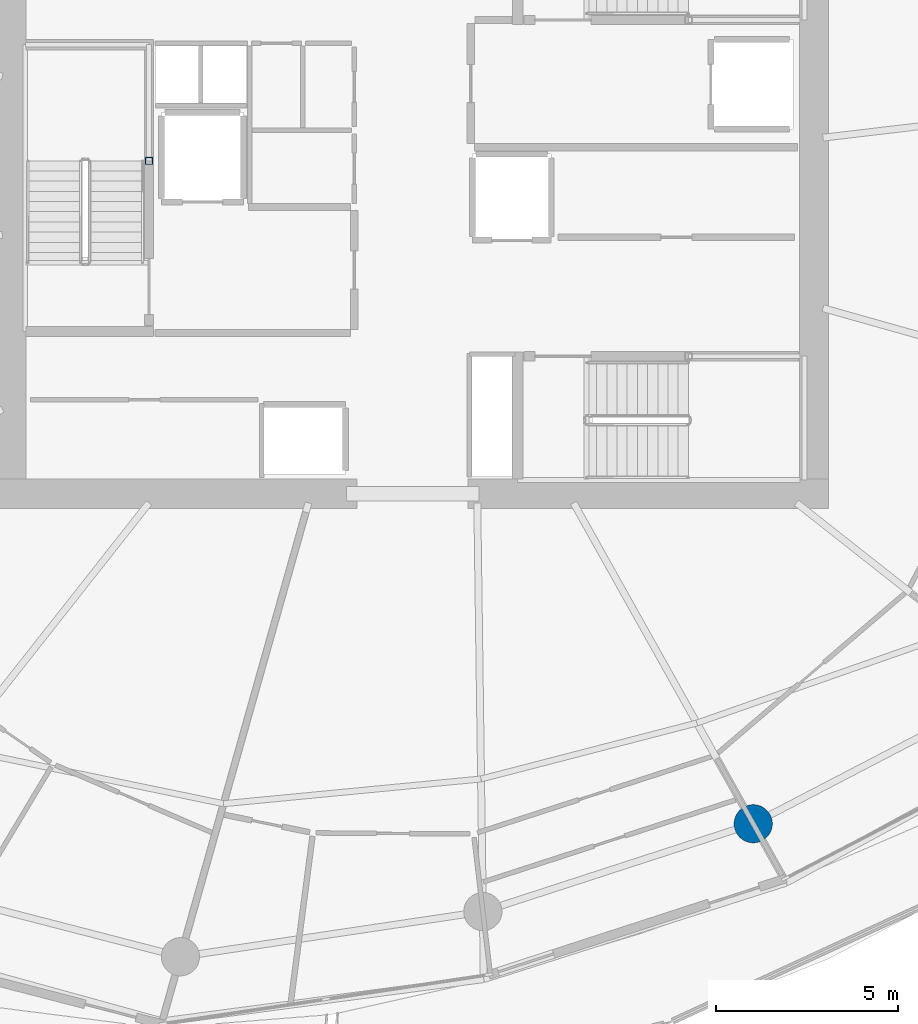
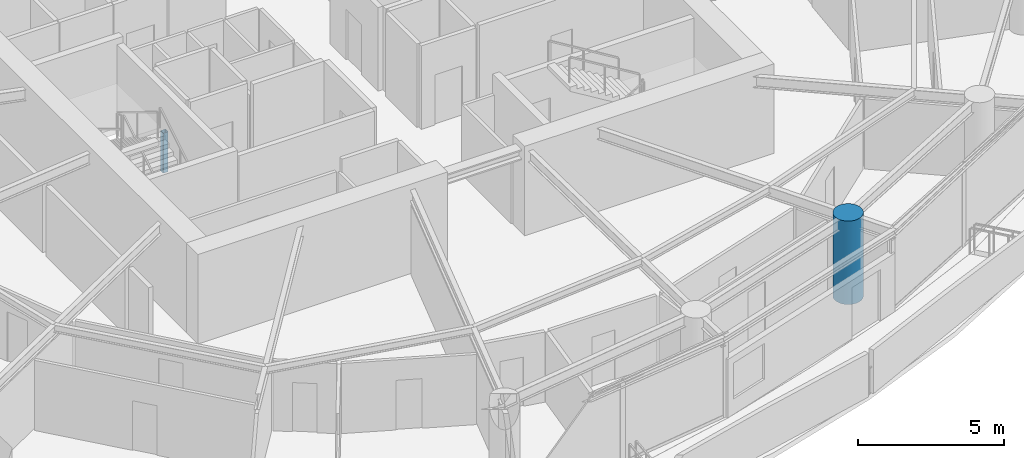
# One storey, part 2 of 20: 2 columns.
"""IFC4 building model written with IfcOpenShell, lengths in metres."""

import ifcopenshell
import ifcopenshell.guid

model = None  # the IFC model being written
_history = None  # IfcOwnerHistory: only IFC2X3 demands one
_inside = {}  # id of a spatial element -> (the spatial element, [elements in it])
_under = {}  # id of a project, library or spatial element -> (it, [spatial elements below it])
_declared = {}  # id of a project -> (the project, [libraries it declares])
_typed = {}  # id of a type object -> (the type object, [elements of that type])
_made_of = {}  # id of a material, layer set ... -> (it, [elements and type objects made of it])


def new_model(schema):
    """Start an empty IFC model of exactly this schema.

    Asked for "IFC4X3", IfcOpenShell would pick the latest addendum, in which some entities
    have other attributes; the version numbers below select the first issue.
    IFC2X3 requires an IfcOwnerHistory on every rooted entity: one is made here for all.
    """
    global model, _history
    if schema == "IFC4X3":
        model = ifcopenshell.file(schema_version=(4, 3, 0, 0))
    else:
        model = ifcopenshell.file(schema=schema)
    _inside.clear()
    _under.clear()
    _declared.clear()
    _typed.clear()
    _made_of.clear()
    _history = None
    if model.schema == "IFC2X3":
        org = make("IfcOrganization", Name="unknown")
        user = make(
            "IfcPersonAndOrganization",
            ThePerson=make("IfcPerson", FamilyName="unknown"),
            TheOrganization=org,
        )
        app = make(
            "IfcApplication",
            ApplicationDeveloper=org,
            Version="unknown",
            ApplicationFullName="unknown",
            ApplicationIdentifier="unknown",
        )
        _history = make(
            "IfcOwnerHistory",
            OwningUser=user,
            OwningApplication=app,
            ChangeAction="ADDED",
            CreationDate=0,
        )
    return model


def make(cls, **values):
    """One entity of the class cls with the attributes given. An attribute that is None is left unset."""
    return model.create_entity(
        cls, **{name: value for name, value in values.items() if value is not None}
    )


def rooted(cls, **values):
    """An entity with a GlobalId (a new one), such as an element, a storey or a relation."""
    return make(cls, GlobalId=ifcopenshell.guid.new(), OwnerHistory=_history, **values)


def si_unit(unit_type, name, prefix=None):
    """IfcSIUnit, for example si_unit("LENGTHUNIT", "METRE", prefix="MILLI")."""
    return make("IfcSIUnit", UnitType=unit_type, Prefix=prefix, Name=name)


def assignment(units):
    """IfcUnitAssignment: the units of a project."""
    return None if units is None else make("IfcUnitAssignment", Units=units)


def point(xyz):
    """IfcCartesianPoint."""
    return None if xyz is None else make("IfcCartesianPoint", Coordinates=xyz)


def direction(xyz):
    """IfcDirection."""
    return None if xyz is None else make("IfcDirection", DirectionRatios=xyz)


def frame(location, z_axis=None, x_axis=None):
    """IfcAxis2Placement3D, a coordinate frame: its origin and axes. An axis left out is left unset."""
    return make(
        "IfcAxis2Placement3D",
        Location=point(location),
        Axis=direction(z_axis),
        RefDirection=direction(x_axis),
    )


def frame_2d(location, x_axis=None):
    """IfcAxis2Placement2D, a coordinate frame in the plane: its origin and x axis."""
    return make(
        "IfcAxis2Placement2D", Location=point(location), RefDirection=direction(x_axis)
    )


def origin():
    """The frame at (0, 0, 0) with its axes left unset."""
    return frame((0.0, 0.0, 0.0))


def origin_2d():
    """The frame at (0, 0) in the plane with its x axis left unset."""
    return frame_2d((0.0, 0.0))


def place(relative_to, where):
    """IfcLocalPlacement: puts the frame where relative to a parent placement (None: the world)."""
    return make(
        "IfcLocalPlacement", PlacementRelTo=relative_to, RelativePlacement=where
    )


def context(
    kind, dimensions, precision=None, world=None, true_north=None, identifier=None
):
    """IfcGeometricRepresentationContext, for example the 3D "Model" context."""
    return make(
        "IfcGeometricRepresentationContext",
        ContextIdentifier=identifier,
        ContextType=kind,
        CoordinateSpaceDimension=dimensions,
        Precision=precision,
        WorldCoordinateSystem=world,
        TrueNorth=true_north,
    )


def subcontext(parent, identifier, kind, view, scale=None):
    """IfcGeometricRepresentationSubContext, for example "Body" below "Model"."""
    return make(
        "IfcGeometricRepresentationSubContext",
        ContextIdentifier=identifier,
        ContextType=kind,
        ParentContext=parent,
        TargetScale=scale,
        TargetView=view,
    )


def project(units=None, contexts=None):
    """IfcProject with its units and contexts."""
    return rooted(
        "IfcProject",
        Name="project",
        RepresentationContexts=contexts,
        UnitsInContext=assignment(units),
    )


def spatial(cls, under=None, at=None, **own):
    """A site, building, storey or space (cls), placed at a placement, below another one or the project."""
    s = rooted(cls, ObjectPlacement=at, **own)
    if under is not None:
        _under.setdefault(under.id(), (under, []))[1].append(s)
    return s


def profile(cls, at=None, kind="AREA", **sizes):
    """A parametric profile (cls). Its sizes go by their IFC names, for example OverallWidth=200.0."""
    return make(cls, ProfileType=kind, Position=at, **sizes)


def hollow_rectangle(**sizes):
    """IfcRectangleHollowProfileDef."""
    return profile("IfcRectangleHollowProfileDef", **sizes)


def circle(**sizes):
    """IfcCircleProfileDef."""
    return profile("IfcCircleProfileDef", **sizes)


def extrude(swept, where, along, depth):
    """IfcExtrudedAreaSolid: the profile swept, set in the frame where, extruded along a direction by depth."""
    return make(
        "IfcExtrudedAreaSolid",
        SweptArea=swept,
        Position=where,
        ExtrudedDirection=direction(along),
        Depth=depth,
    )


def shape(context_of_items, identifier, shape_type, items):
    """IfcShapeRepresentation: the items that make up one representation, for example the "Body"."""
    return make(
        "IfcShapeRepresentation",
        ContextOfItems=context_of_items,
        RepresentationIdentifier=identifier,
        RepresentationType=shape_type,
        Items=items,
    )


def material(Name=None, Category=None):
    """IfcMaterial."""
    return make("IfcMaterial", Name=Name, Category=Category)


def material_profile(
    of_material, cross_section, Name=None, Category=None, Priority=None
):
    """IfcMaterialProfile: a cross section and its material."""
    return make(
        "IfcMaterialProfile",
        Name=Name,
        Material=of_material,
        Profile=cross_section,
        Priority=Priority,
        Category=Category,
    )


def profile_set(profiles, Name=None, composite=None):
    """IfcMaterialProfileSet."""
    return make(
        "IfcMaterialProfileSet",
        Name=Name,
        MaterialProfiles=profiles,
        CompositeProfile=composite,
    )


def made_of(thing, what):
    """Note that an element or type object is made of a material, layer set ...; save() writes the relation."""
    if what is not None:
        _made_of.setdefault(what.id(), (what, []))[1].append(thing)
    return thing


def type_object(cls, material=None, **own):
    """A type object (cls), such as IfcWallType, which elements share."""
    return made_of(rooted(cls, **own), material)


def element(
    cls,
    number,
    at=None,
    inside=None,
    cuts=None,
    type_object=None,
    material=None,
    context=None,
    identifier="Body",
    shape_type=None,
    held_by="IfcProductDefinitionShape",
    body=None,
    shapes=None,
    **own,
):
    """One element of the class cls, such as IfcWall. Its Tag is "e" and its number.

    at: its placement. inside: the storey or other place that contains it. cuts: it is an
    opening in that element (IfcRelVoidsElement). A single representation is given by context,
    identifier, shape_type and body (its items); several are given by shapes. held_by: the class
    of the entity that holds the representations. save() writes the other relations.
    """
    e = rooted(cls, Tag="e%d" % number, ObjectPlacement=at, **own)
    if body is not None:
        shapes = [shape(context, identifier, shape_type, body)]
    if shapes is not None:
        e.Representation = make(held_by, Representations=shapes)
    if inside is not None:
        _inside.setdefault(inside.id(), (inside, []))[1].append(e)
    if cuts is not None:
        rooted(
            "IfcRelVoidsElement", RelatingBuildingElement=cuts, RelatedOpeningElement=e
        )
    if type_object is not None:
        _typed.setdefault(type_object.id(), (type_object, []))[1].append(e)
    return made_of(e, material)


def aggregate(whole, parts):
    """IfcRelAggregates: a whole, such as a stair, and the parts it consists of."""
    return rooted("IfcRelAggregates", RelatingObject=whole, RelatedObjects=parts)


def save(model, path):
    """Write the relations noted so far, then the file.

    IfcRelAggregates (storeys below a building ...), IfcRelContainedInSpatialStructure (elements
    in a storey), IfcRelDefinesByType, IfcRelAssociatesMaterial and IfcRelDeclares: one each for
    every whole, place, type object, material and project.
    """
    for whole, parts in _under.values():
        aggregate(whole, parts)
    for where, things in _inside.values():
        rooted(
            "IfcRelContainedInSpatialStructure",
            RelatedElements=things,
            RelatingStructure=where,
        )
    for kind, things in _typed.values():
        rooted("IfcRelDefinesByType", RelatedObjects=things, RelatingType=kind)
    for what, things in _made_of.values():
        rooted("IfcRelAssociatesMaterial", RelatedObjects=things, RelatingMaterial=what)
    for by, libraries in _declared.values():
        rooted("IfcRelDeclares", RelatingContext=by, RelatedDefinitions=libraries)
    model.write(path)


model = new_model("IFC4")

# Units and contexts
model_context = context("Model", 3, precision=1e-05, world=origin(), true_north=direction((0.0, 1.0)))
body_context = subcontext(model_context, "Body", "Model", "MODEL_VIEW")
ifc_project = project(units=[si_unit("LENGTHUNIT", "METRE"), si_unit("AREAUNIT", "SQUARE_METRE"), si_unit("VOLUMEUNIT", "CUBIC_METRE"), si_unit("PLANEANGLEUNIT", "RADIAN"), si_unit("MASSUNIT", "GRAM", prefix="KILO")], contexts=[model_context])

# Site, building, storey
site_placement = place(None, origin())
site = spatial("IfcSite", under=ifc_project, at=site_placement, CompositionType="ELEMENT")
building_placement = place(site_placement, origin())
building = spatial("IfcBuilding", under=site, at=building_placement, Name="Kazma Halo Residences", CompositionType="ELEMENT")
storey_placement = place(building_placement, frame((0.0, 0.0, 169.050048828125)))
storey = spatial("IfcBuildingStorey", under=building, at=storey_placement, Name="L42", CompositionType="ELEMENT", Elevation=169.050048828125)

# Columns
ifc_material_1 = material(Name="Steel S355", Category="steel")
ifc_material_profile_1 = material_profile(ifc_material_1, hollow_rectangle(XDim=0.199951171875, YDim=0.199951171875, WallThickness=0.010009765625, InnerFilletRadius=0.010009765625, OuterFilletRadius=0.02001953125, at=origin_2d()), Name="SHS200x200x10")
ifc_profile_set_1 = profile_set([ifc_material_profile_1], Name="Steel S355")
column_type_1 = type_object("IfcColumnType", Name="COL-LP-SHS200", PredefinedType="COLUMN", material=ifc_profile_set_1)
column_1_placement = place(storey_placement, frame((41.179931640625, 42.75, 0.0), z_axis=(0.0, 0.0, 1.0), x_axis=(1.0, 0.0, 0.0)))
element("IfcColumn", 1, at=column_1_placement, inside=storey, type_object=column_type_1, Name="L42 ST-01 landing pilaster 1", PredefinedType="COLUMN", context=body_context, shape_type="SweptSolid", body=[
    extrude(hollow_rectangle(XDim=0.199951171875, YDim=0.199951171875, WallThickness=0.010009765625, InnerFilletRadius=0.010009765625, OuterFilletRadius=0.02001953125, at=origin_2d()), origin(), (0.0, 0.0, 1.0), 1.669921875),
])
ifc_material_2 = material(Name="Concrete C80/95", Category="concrete")
ifc_material_profile_2 = material_profile(ifc_material_2, circle(Radius=0.52490234375, at=origin_2d()), Name="CIRC1050")
ifc_profile_set_2 = profile_set([ifc_material_profile_2], Name="Concrete C80/95")
column_type_2 = type_object("IfcColumnType", Name="COL-PERIM-1050", PredefinedType="COLUMN", material=ifc_profile_set_2)
column_2_placement = place(storey_placement, frame((57.781982421875, 24.53271484375, 0.0), z_axis=(0.0, 0.0, 1.0), x_axis=(1.0, 0.0, 0.0)))
element("IfcColumn", 2, at=column_2_placement, inside=storey, type_object=column_type_2, Name="L42 perimeter ring column P13", PredefinedType="COLUMN", context=body_context, shape_type="SweptSolid", body=[
    extrude(circle(Radius=0.52490234375, at=origin_2d()), origin(), (0.0, 0.0, 1.0), 3.5),
])

save(model, "model.ifc")
